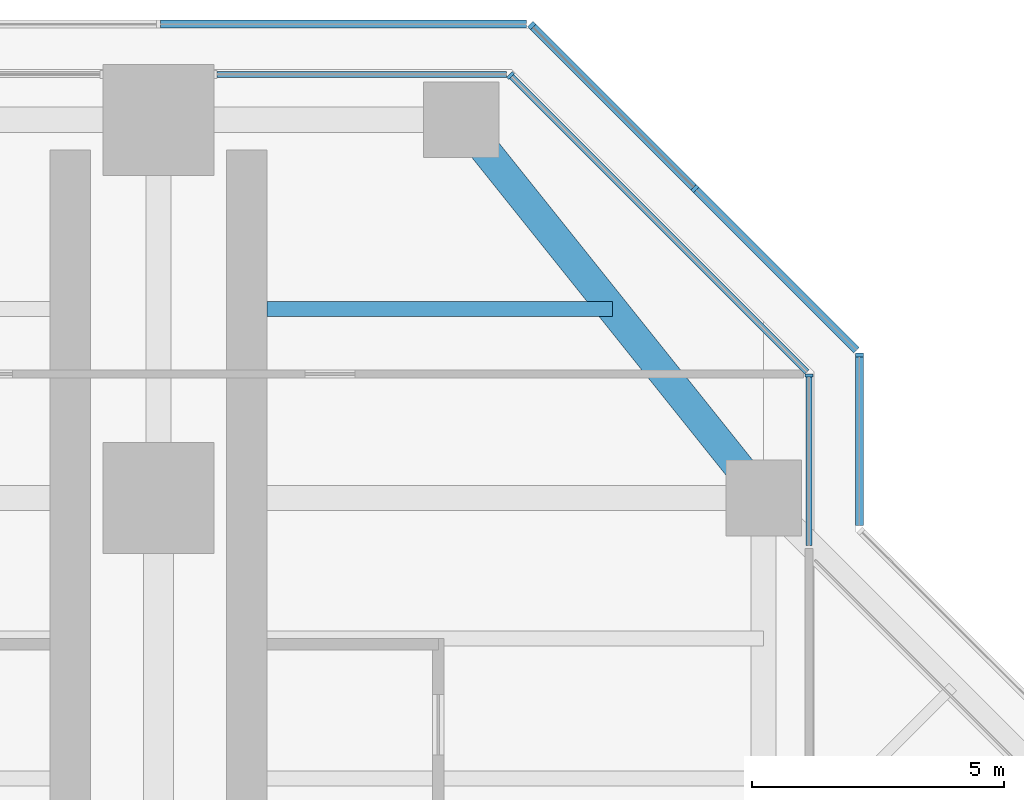
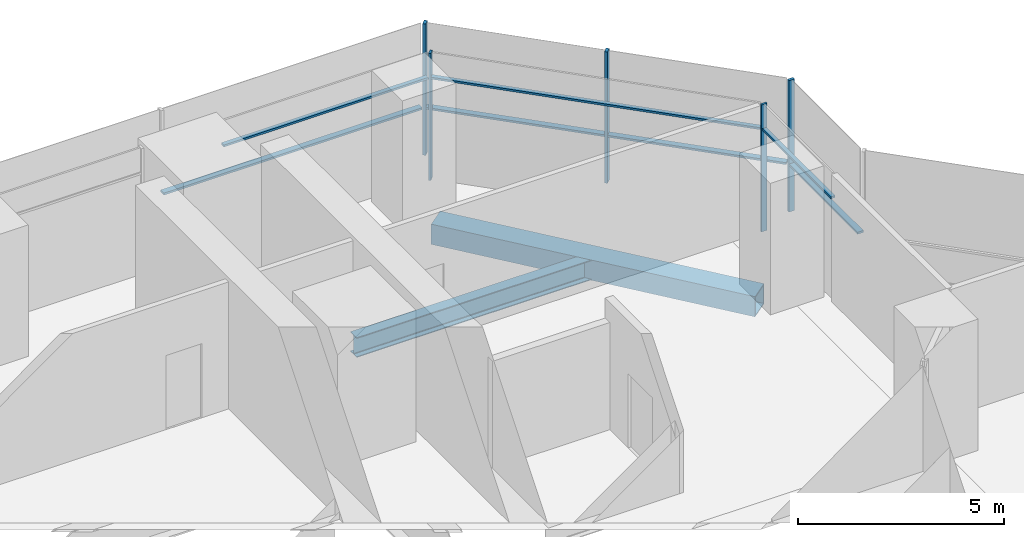
# One storey, part 9 of 17: 12 members, 2 beams, 6 elements without a shape of their own.
"""IFC4 building model written with IfcOpenShell, lengths in metres."""

from ifc_helpers import new_model, si_unit, direction, frame, origin, origin_2d, place, context, subcontext, project, spatial, rectangle, hollow_rectangle, i_section, extrude, material, material_profile, profile_set, type_object, element, aggregate, save


model = new_model("IFC4")

# Units and contexts
model_context = context("Model", 3, precision=1e-05, world=origin(), true_north=direction((0.0, 1.0)))
body_context = subcontext(model_context, "Body", "Model", "MODEL_VIEW")
ifc_project = project(units=[si_unit("LENGTHUNIT", "METRE"), si_unit("AREAUNIT", "SQUARE_METRE"), si_unit("VOLUMEUNIT", "CUBIC_METRE"), si_unit("PLANEANGLEUNIT", "RADIAN"), si_unit("MASSUNIT", "GRAM", prefix="KILO")], contexts=[model_context])

# Site, building, storey
site_placement = place(None, origin())
site = spatial("IfcSite", under=ifc_project, at=site_placement, CompositionType="ELEMENT")
building_placement = place(site_placement, origin())
building = spatial("IfcBuilding", under=site, at=building_placement, Name="Mizan Broadcast Tower", CompositionType="ELEMENT")
storey_placement = place(building_placement, frame((0.0, 0.0, 228.300048828125)))
storey = spatial("IfcBuildingStorey", under=building, at=storey_placement, Name="L53", CompositionType="ELEMENT", Elevation=228.300048828125)

# Beam
ifc_material_1 = material(Name="Steel S355", Category="steel")
ifc_material_profile_1 = material_profile(ifc_material_1, hollow_rectangle(XDim=0.60009765625, YDim=0.60009765625, WallThickness=0.030029296875, at=origin_2d()), Name="BOX 600x600x30")
ifc_profile_set_1 = profile_set([ifc_material_profile_1], Name="Steel S355")
beam_type_1 = type_object("IfcBeamType", Name="EDGE BEAM BOX 600x600x30", PredefinedType="SPANDREL", material=ifc_profile_set_1)
beam_1_placement = place(storey_placement, frame((11.639892578125, 19.949951171875, -0.429931640625), z_axis=(-0.624673911726, 0.780885717636, 0.0), x_axis=(-0.780885717636, -0.624673911726, 0.0)))
element("IfcBeam", 1, at=beam_1_placement, inside=storey, type_object=beam_type_1, Name="Edge beam BOX 600x600x30 L53 north arm", PredefinedType="SPANDREL", context=body_context, shape_type="SweptSolid", body=[
    extrude(hollow_rectangle(XDim=0.60009765625, YDim=0.60009765625, WallThickness=0.030029296875, at=origin_2d()), origin(), (0.0, 0.0, 1.0), 8.4521484375),
])

# Curtain wall, member
ifc_material_2 = material(Name="Aluminium framed glazing", Category="aluminium")
curtain_wall_type_1 = type_object("IfcCurtainWallType", Name="INNER SKIN HIGH ZONE", PredefinedType="USERDEFINED", material=ifc_material_2)
curtain_wall_1_placement = place(storey_placement, origin())
curtain_wall_1 = element("IfcCurtainWall", 2, at=curtain_wall_1_placement, inside=storey, type_object=curtain_wall_type_1, Name="Inner skin high zone L53 N side", ObjectType="INNER SKIN HIGH ZONE", PredefinedType="USERDEFINED")
ifc_material_3 = material(Name="Aluminium, pale anodised", Category="aluminium")
ifc_material_profile_2 = material_profile(ifc_material_3, rectangle(XDim=0.159912109375, YDim=0.06005859375, at=origin_2d()), Name="MULLION 160x60")
ifc_profile_set_2 = profile_set([ifc_material_profile_2], Name="Aluminium, pale anodised")
member_type_1 = type_object("IfcMemberType", Name="INNER SKIN MULLION 60x160", PredefinedType="MULLION", material=ifc_profile_set_2)
member_1_placement = place(storey_placement, frame((12.89990234375, 21.928466796875, 0.0), z_axis=(0.0, 0.0, 1.0), x_axis=(-1.0, 0.0, 0.0)))
member_1 = element("IfcMember", 3, at=member_1_placement, type_object=member_type_1, Name="Inner skin high zone L53 N side mullion 2", PredefinedType="MULLION", context=body_context, shape_type="SweptSolid", body=[
    extrude(rectangle(XDim=0.159912109375, YDim=0.06005859375, at=origin_2d()), origin(), (0.0, 0.0, 1.0), 3.77001953125),
])

curtain_wall_2_placement = place(storey_placement, origin())
curtain_wall_2 = element("IfcCurtainWall", 4, at=curtain_wall_2_placement, inside=storey, type_object=curtain_wall_type_1, Name="Inner skin high zone L53 N chamfer", ObjectType="INNER SKIN HIGH ZONE", PredefinedType="USERDEFINED")
member_2_placement = place(storey_placement, frame((6.979736328125, 27.87890625, 0.0), z_axis=(0.0, 0.0, 1.0), x_axis=(-0.707106781187, -0.707106781187, 0.0)))
member_2 = element("IfcMember", 5, at=member_2_placement, type_object=member_type_1, Name="Inner skin high zone L53 N chamfer mullion 2", PredefinedType="MULLION", context=body_context, shape_type="SweptSolid", body=[
    extrude(rectangle(XDim=0.159912109375, YDim=0.06005859375, at=origin_2d()), origin(), (0.0, 0.0, 1.0), 3.77001953125),
])

# Member
ifc_material_4 = material(Name="Aluminium, pale anodised", Category="aluminium")
ifc_material_profile_3 = material_profile(ifc_material_4, rectangle(XDim=0.1201171875, YDim=0.06005859375, at=origin_2d()), Name="TRANSOM 120x60")
ifc_profile_set_3 = profile_set([ifc_material_profile_3], Name="Aluminium, pale anodised")
member_type_2 = type_object("IfcMemberType", Name="INNER SKIN TRANSOM 60x120", PredefinedType="USERDEFINED", material=ifc_profile_set_3)
member_3_placement = place(storey_placement, frame((12.89990234375, 18.56005859375, 3.030029296875), z_axis=(0.0, 1.0, 0.0), x_axis=(-1.0, 0.0, 0.0)))
member_3 = element("IfcMember", 6, at=member_3_placement, type_object=member_type_2, Name="Inner skin high zone L53 N side transom 1.1", ObjectType="TRANSOM", PredefinedType="USERDEFINED", context=body_context, shape_type="SweptSolid", body=[
    extrude(rectangle(XDim=0.1201171875, YDim=0.06005859375, at=origin_2d()), origin(), (0.0, 0.0, 1.0), 3.338623046875),
])

aggregate(curtain_wall_1, [member_1, member_3])

member_4_placement = place(storey_placement, frame((12.857666015625, 22.0009765625, 3.030029296875), z_axis=(-0.707106781187, 0.707106781187, 0.0), x_axis=(-0.707106781187, -0.707106781187, 0.0)))
member_4 = element("IfcMember", 7, at=member_4_placement, type_object=member_type_2, Name="Inner skin high zone L53 N chamfer transom 1.1", ObjectType="TRANSOM", PredefinedType="USERDEFINED", context=body_context, shape_type="SweptSolid", body=[
    extrude(rectangle(XDim=0.1201171875, YDim=0.06005859375, at=origin_2d()), origin(), (0.0, 0.0, 1.0), 8.28271484375),
])

aggregate(curtain_wall_2, [member_2, member_4])

# Curtain wall, member
curtain_wall_3_placement = place(storey_placement, origin())
curtain_wall_3 = element("IfcCurtainWall", 8, at=curtain_wall_3_placement, inside=storey, type_object=curtain_wall_type_1, Name="Inner skin high zone L53 N end", ObjectType="INNER SKIN HIGH ZONE", PredefinedType="USERDEFINED")
member_5_placement = place(storey_placement, frame((6.898681640625, 27.89990234375, 3.030029296875), z_axis=(-1.0, 0.0, 0.0), x_axis=(0.0, -1.0, 0.0)))
member_5 = element("IfcMember", 9, at=member_5_placement, type_object=member_type_2, Name="Inner skin high zone L53 N end transom 1.1", ObjectType="TRANSOM", PredefinedType="USERDEFINED", context=body_context, shape_type="SweptSolid", body=[
    extrude(rectangle(XDim=0.1201171875, YDim=0.06005859375, at=origin_2d()), origin(), (0.0, 0.0, 1.0), 5.73876953125),
])
aggregate(curtain_wall_3, [member_5])

ifc_material_5 = material(Name="Aluminium framed glazing", Category="aluminium")
curtain_wall_type_2 = type_object("IfcCurtainWallType", Name="OUTER SKIN", PredefinedType="USERDEFINED", material=ifc_material_5)
curtain_wall_4_placement = place(storey_placement, origin())
curtain_wall_4 = element("IfcCurtainWall", 10, at=curtain_wall_4_placement, inside=storey, type_object=curtain_wall_type_2, Name="Outer skin L53 N side", ObjectType="OUTER SKIN", PredefinedType="USERDEFINED")
ifc_material_6 = material(Name="Aluminium, pale anodised", Category="aluminium")
ifc_material_profile_4 = material_profile(ifc_material_6, rectangle(XDim=0.159912109375, YDim=0.080078125, at=origin_2d()), Name="MULLION 160x80")
ifc_profile_set_4 = profile_set([ifc_material_profile_4], Name="Aluminium, pale anodised")
member_type_3 = type_object("IfcMemberType", Name="OUTER SKIN MULLION 80x160", PredefinedType="MULLION", material=ifc_profile_set_4)
member_6_placement = place(storey_placement, frame((13.89990234375, 22.332763671875, 0.0), z_axis=(0.0, 0.0, 1.0), x_axis=(-1.0, 0.0, 0.0)))
member_6 = element("IfcMember", 11, at=member_6_placement, type_object=member_type_3, Name="Outer skin L53 N side mullion 2", PredefinedType="MULLION", context=body_context, shape_type="SweptSolid", body=[
    extrude(rectangle(XDim=0.159912109375, YDim=0.080078125, at=origin_2d()), origin(), (0.0, 0.0, 1.0), 3.89990234375),
])

# Curtain wall, members
curtain_wall_5_placement = place(storey_placement, origin())
curtain_wall_5 = element("IfcCurtainWall", 12, at=curtain_wall_5_placement, inside=storey, type_object=curtain_wall_type_2, Name="Outer skin L53 N chamfer", ObjectType="OUTER SKIN", PredefinedType="USERDEFINED")
member_7_placement = place(storey_placement, frame((10.636474609375, 25.636474609375, 0.0), z_axis=(0.0, 0.0, 1.0), x_axis=(-0.707106781187, -0.707106781187, 0.0)))
member_7 = element("IfcMember", 13, at=member_7_placement, type_object=member_type_3, Name="Outer skin L53 N chamfer mullion 2", PredefinedType="MULLION", context=body_context, shape_type="SweptSolid", body=[
    extrude(rectangle(XDim=0.159912109375, YDim=0.080078125, at=origin_2d()), origin(), (0.0, 0.0, 1.0), 3.89990234375),
])
member_8_placement = place(storey_placement, frame((7.401123046875, 28.871826171875, 0.0), z_axis=(0.0, 0.0, 1.0), x_axis=(-0.707106781187, -0.707106781187, 0.0)))
member_8 = element("IfcMember", 14, at=member_8_placement, type_object=member_type_3, Name="Outer skin L53 N chamfer mullion 3", PredefinedType="MULLION", context=body_context, shape_type="SweptSolid", body=[
    extrude(rectangle(XDim=0.159912109375, YDim=0.080078125, at=origin_2d()), origin(), (0.0, 0.0, 1.0), 3.89990234375),
])

# Member
ifc_material_7 = material(Name="Aluminium, pale anodised", Category="aluminium")
ifc_material_profile_5 = material_profile(ifc_material_7, rectangle(XDim=0.159912109375, YDim=0.06005859375, at=origin_2d()), Name="TRANSOM 160x60")
ifc_profile_set_5 = profile_set([ifc_material_profile_5], Name="Aluminium, pale anodised")
member_type_4 = type_object("IfcMemberType", Name="OUTER SKIN TRANSOM 60x160", PredefinedType="USERDEFINED", material=ifc_profile_set_5)
member_9_placement = place(storey_placement, frame((13.89990234375, 18.952880859375, 1.39990234375), z_axis=(0.0, 1.0, 0.0), x_axis=(-1.0, 0.0, 0.0)))
member_9 = element("IfcMember", 15, at=member_9_placement, type_object=member_type_4, Name="Outer skin L53 N side transom 1.1", ObjectType="TRANSOM", PredefinedType="USERDEFINED", context=body_context, shape_type="SweptSolid", body=[
    extrude(rectangle(XDim=0.159912109375, YDim=0.06005859375, at=origin_2d()), origin(), (0.0, 0.0, 1.0), 3.33984375),
])

aggregate(curtain_wall_4, [member_6, member_9])

member_10_placement = place(storey_placement, frame((13.843505859375, 22.429443359375, 1.39990234375), z_axis=(-0.707106781187, 0.707106781187, 0.0), x_axis=(-0.707106781187, -0.707106781187, 0.0)))
member_10 = element("IfcMember", 16, at=member_10_placement, type_object=member_type_4, Name="Outer skin L53 N chamfer transom 1.1", ObjectType="TRANSOM", PredefinedType="USERDEFINED", context=body_context, shape_type="SweptSolid", body=[
    extrude(rectangle(XDim=0.159912109375, YDim=0.06005859375, at=origin_2d()), origin(), (0.0, 0.0, 1.0), 4.495361328125),
])

member_11_placement = place(storey_placement, frame((10.608154296875, 25.664794921875, 1.39990234375), z_axis=(-0.707106781187, 0.707106781187, 0.0), x_axis=(-0.707106781187, -0.707106781187, 0.0)))
member_11 = element("IfcMember", 17, at=member_11_placement, type_object=member_type_4, Name="Outer skin L53 N chamfer transom 2.1", ObjectType="TRANSOM", PredefinedType="USERDEFINED", context=body_context, shape_type="SweptSolid", body=[
    extrude(rectangle(XDim=0.159912109375, YDim=0.06005859375, at=origin_2d()), origin(), (0.0, 0.0, 1.0), 4.495361328125),
])

aggregate(curtain_wall_5, [member_7, member_8, member_10, member_11])

# Curtain wall, member
curtain_wall_6_placement = place(storey_placement, origin())
curtain_wall_6 = element("IfcCurtainWall", 18, at=curtain_wall_6_placement, inside=storey, type_object=curtain_wall_type_2, Name="Outer skin L53 N end", ObjectType="OUTER SKIN", PredefinedType="USERDEFINED")
member_12_placement = place(storey_placement, frame((7.292724609375, 28.89990234375, 1.39990234375), z_axis=(-1.0, 0.0, 0.0), x_axis=(0.0, -1.0, 0.0)))
member_12 = element("IfcMember", 19, at=member_12_placement, type_object=member_type_4, Name="Outer skin L53 N end transom 1.1", ObjectType="TRANSOM", PredefinedType="USERDEFINED", context=body_context, shape_type="SweptSolid", body=[
    extrude(rectangle(XDim=0.159912109375, YDim=0.06005859375, at=origin_2d()), origin(), (0.0, 0.0, 1.0), 7.252685546875),
])
aggregate(curtain_wall_6, [member_12])

# Beam
ifc_material_8 = material(Name="Steel S355", Category="steel")
ifc_material_profile_6 = material_profile(ifc_material_8, i_section(OverallWidth=0.300048828125, OverallDepth=0.590087890625, WebThickness=0.012939453125, FlangeThickness=0.02490234375, FilletRadius=0.027099609375, at=origin_2d()), Name="HEA 600")
ifc_profile_set_6 = profile_set([ifc_material_profile_6], Name="Steel S355")
beam_type_2 = type_object("IfcBeamType", Name="SECONDARY BEAM HEA 600", PredefinedType="JOIST", material=ifc_profile_set_6)
beam_2_placement = place(storey_placement, frame((9.0, 23.25, -0.425048828125), z_axis=(-1.0, 0.0, 0.0), x_axis=(0.0, -1.0, 0.0)))
element("IfcBeam", 20, at=beam_2_placement, inside=storey, type_object=beam_type_2, Name="Secondary beam HEA 600 L53 north arm", PredefinedType="JOIST", context=body_context, shape_type="SweptSolid", body=[
    extrude(i_section(OverallWidth=0.300048828125, OverallDepth=0.590087890625, WebThickness=0.012939453125, FlangeThickness=0.02490234375, FilletRadius=0.027099609375, at=origin_2d()), origin(), (0.0, 0.0, 1.0), 6.85009765625),
])

save(model, "model.ifc")
